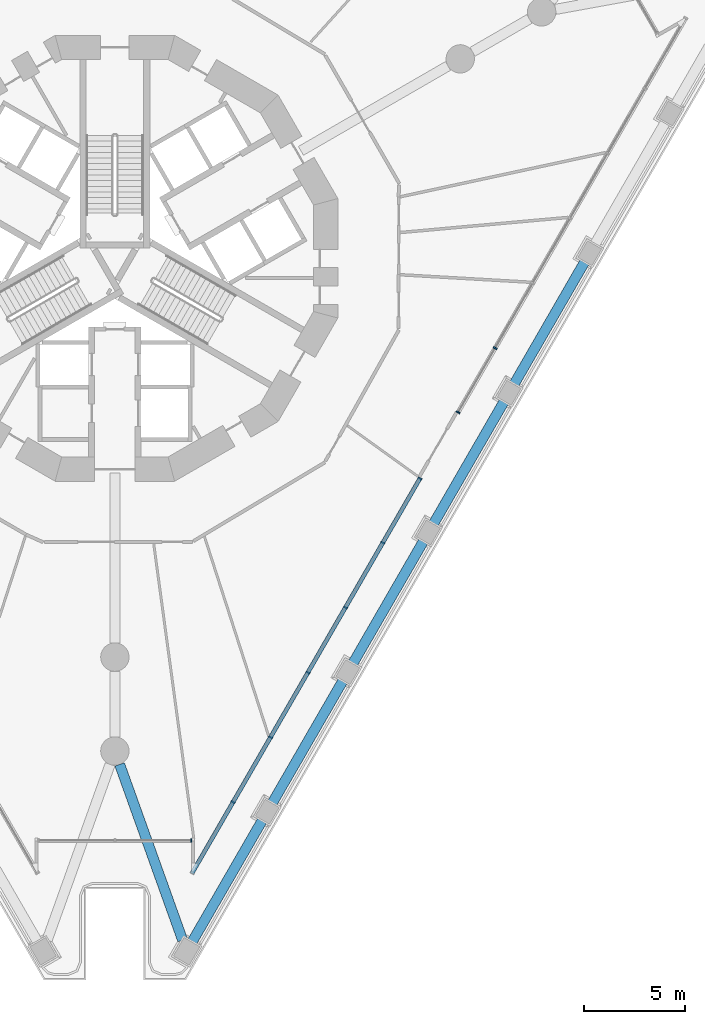
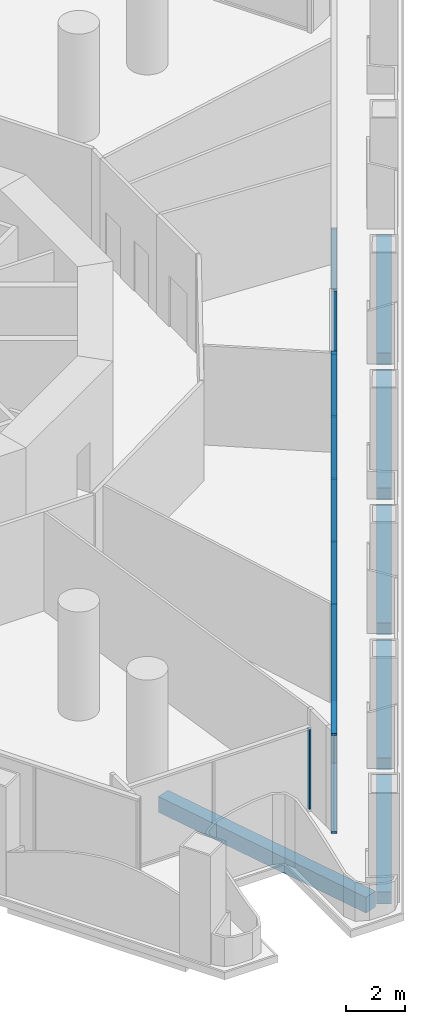
# One storey, part 4 of 22: 11 members, 6 beams, 3 elements without a shape of their own.
"""IFC4 building model written with IfcOpenShell, lengths in metres."""

from ifc_helpers import new_model, si_unit, direction, frame, origin, origin_2d, place, context, subcontext, project, spatial, rectangle, extrude, material, layer, layer_set, material_profile, profile_set, type_object, element, aggregate, save


model = new_model("IFC4")

# Units and contexts
model_context = context("Model", 3, precision=1e-05, world=origin(), true_north=direction((0.0, 1.0)))
body_context = subcontext(model_context, "Body", "Model", "MODEL_VIEW")
ifc_project = project(units=[si_unit("LENGTHUNIT", "METRE"), si_unit("AREAUNIT", "SQUARE_METRE"), si_unit("VOLUMEUNIT", "CUBIC_METRE"), si_unit("PLANEANGLEUNIT", "RADIAN"), si_unit("MASSUNIT", "GRAM", prefix="KILO")], contexts=[model_context])

# Site, building, storey
site_placement = place(None, origin())
site = spatial("IfcSite", under=ifc_project, at=site_placement, CompositionType="ELEMENT")
building_placement = place(site_placement, origin())
building = spatial("IfcBuilding", under=site, at=building_placement, Name="Trine Commons Tower", CompositionType="ELEMENT")
storey_placement = place(building_placement, frame((0.0, 0.0, 22.5)))
storey = spatial("IfcBuildingStorey", under=building, at=storey_placement, Name="L04", CompositionType="ELEMENT", Elevation=22.5)

# Curtain wall, member
ifc_material_1 = material(Name="Corner pocket glazing: anodised aluminium frame with low-emissivity double glazed unit, laminated", Category="aluminium")
ifc_layer_1 = layer(ifc_material_1, 0.179931640625)
ifc_layer_set_1 = layer_set([ifc_layer_1], Name="Corner pocket glazing: anodised aluminium frame with low-emissivity double glazed unit, laminated")
curtain_wall_type_1 = type_object("IfcCurtainWallType", Name="Corner pocket glazing curtain wall CW8", PredefinedType="NOTDEFINED", material=ifc_layer_set_1)
curtain_wall_1_placement = place(storey_placement, origin())
curtain_wall_1 = element("IfcCurtainWall", 1, at=curtain_wall_1_placement, inside=storey, type_object=curtain_wall_type_1, Name="Corner pocket glazing L04 P3.1", PredefinedType="NOTDEFINED")
ifc_material_2 = material(Name="Anodised aluminium, bronze finish", Category="aluminium")
ifc_material_profile_1 = material_profile(ifc_material_2, rectangle(XDim=0.179931640625, YDim=0.06494140625, at=origin_2d()), Name="Mullion 65x180")
ifc_profile_set_1 = profile_set([ifc_material_profile_1], Name="Anodised aluminium, bronze finish")
member_type_1 = type_object("IfcMemberType", Name="Mullion 65x180, Anodised aluminium, bronze finish", PredefinedType="MULLION", material=ifc_profile_set_1)
member_1_placement = place(storey_placement, frame((83.767578125, 33.74072265625, 0.090087890625), z_axis=(0.0, 0.0, 1.0), x_axis=(0.0, -1.0, 0.0)))
member_1 = element("IfcMember", 2, at=member_1_placement, type_object=member_type_1, Name="CW8 mullion 1.1", PredefinedType="MULLION", context=body_context, shape_type="SweptSolid", body=[
    extrude(rectangle(XDim=0.179931640625, YDim=0.06494140625, at=origin_2d()), origin(), (0.0, 0.0, 1.0), 3.2998046875),
])
aggregate(curtain_wall_1, [member_1])

# Curtain wall, members
ifc_material_3 = material(Name="Podium glazing: anodised aluminium frame with low-emissivity double glazed unit", Category="aluminium")
ifc_layer_2 = layer(ifc_material_3, 0.199951171875)
ifc_layer_set_2 = layer_set([ifc_layer_2], Name="Podium glazing: anodised aluminium frame with low-emissivity double glazed unit")
curtain_wall_type_2 = type_object("IfcCurtainWallType", Name="Podium glazing curtain wall CW3", PredefinedType="NOTDEFINED", material=ifc_layer_set_2)
curtain_wall_2_placement = place(storey_placement, origin())
curtain_wall_2 = element("IfcCurtainWall", 3, at=curtain_wall_2_placement, inside=storey, type_object=curtain_wall_type_2, Name="Podium glazing L04 F2.1", PredefinedType="NOTDEFINED")
ifc_material_profile_2 = material_profile(ifc_material_2, rectangle(XDim=0.199951171875, YDim=0.074951171875, at=origin_2d()), Name="Mullion 75x200")
ifc_profile_set_2 = profile_set([ifc_material_profile_2], Name="Anodised aluminium, bronze finish")
member_type_2 = type_object("IfcMemberType", Name="Mullion 75x200, Anodised aluminium, bronze finish", PredefinedType="MULLION", material=ifc_profile_set_2)
member_2_placement = place(storey_placement, frame((98.782470703125, 58.06298828125, 0.10009765625), z_axis=(0.0, 0.0, 1.0), x_axis=(0.866025403784, -0.5, 0.0)))
member_2 = element("IfcMember", 4, at=member_2_placement, type_object=member_type_2, Name="CW3 mullion 6.1", PredefinedType="MULLION", context=body_context, shape_type="SweptSolid", body=[
    extrude(rectangle(XDim=0.199951171875, YDim=0.074951171875, at=origin_2d()), origin(), (0.0, 0.0, 1.0), 3.949951171875),
])
member_3_placement = place(storey_placement, frame((96.95166015625, 54.89208984375, 0.10009765625), z_axis=(0.0, 0.0, 1.0), x_axis=(0.866025403784, -0.5, 0.0)))
member_3 = element("IfcMember", 5, at=member_3_placement, type_object=member_type_2, Name="CW3 mullion 7.1", PredefinedType="MULLION", context=body_context, shape_type="SweptSolid", body=[
    extrude(rectangle(XDim=0.199951171875, YDim=0.074951171875, at=origin_2d()), origin(), (0.0, 0.0, 1.0), 3.949951171875),
])
aggregate(curtain_wall_2, [member_2, member_3])

curtain_wall_3_placement = place(storey_placement, origin())
curtain_wall_3 = element("IfcCurtainWall", 6, at=curtain_wall_3_placement, inside=storey, type_object=curtain_wall_type_2, Name="Podium glazing L04 F2.2", PredefinedType="NOTDEFINED")
member_4_placement = place(storey_placement, frame((95.064697265625, 51.623779296875, 0.10009765625), z_axis=(0.0, 0.0, 1.0), x_axis=(0.866025403784, -0.5, 0.0)))
member_4 = element("IfcMember", 7, at=member_4_placement, type_object=member_type_2, Name="CW3 mullion 1.1", PredefinedType="MULLION", context=body_context, shape_type="SweptSolid", body=[
    extrude(rectangle(XDim=0.199951171875, YDim=0.074951171875, at=origin_2d()), origin(), (0.0, 0.0, 1.0), 3.949951171875),
])
member_5_placement = place(storey_placement, frame((93.234130859375, 48.452880859375, 0.10009765625), z_axis=(0.0, 0.0, 1.0), x_axis=(0.866025403784, -0.5, 0.0)))
member_5 = element("IfcMember", 8, at=member_5_placement, type_object=member_type_2, Name="CW3 mullion 2.1", PredefinedType="MULLION", context=body_context, shape_type="SweptSolid", body=[
    extrude(rectangle(XDim=0.199951171875, YDim=0.074951171875, at=origin_2d()), origin(), (0.0, 0.0, 1.0), 3.949951171875),
])
member_6_placement = place(storey_placement, frame((91.384521484375, 45.24951171875, 0.10009765625), z_axis=(0.0, 0.0, 1.0), x_axis=(0.866025403784, -0.5, 0.0)))
member_6 = element("IfcMember", 9, at=member_6_placement, type_object=member_type_2, Name="CW3 mullion 3.1", PredefinedType="MULLION", context=body_context, shape_type="SweptSolid", body=[
    extrude(rectangle(XDim=0.199951171875, YDim=0.074951171875, at=origin_2d()), origin(), (0.0, 0.0, 1.0), 3.949951171875),
])
member_7_placement = place(storey_placement, frame((89.53515625, 42.046142578125, 0.10009765625), z_axis=(0.0, 0.0, 1.0), x_axis=(0.866025403784, -0.5, 0.0)))
member_7 = element("IfcMember", 10, at=member_7_placement, type_object=member_type_2, Name="CW3 mullion 4.1", PredefinedType="MULLION", context=body_context, shape_type="SweptSolid", body=[
    extrude(rectangle(XDim=0.199951171875, YDim=0.074951171875, at=origin_2d()), origin(), (0.0, 0.0, 1.0), 3.949951171875),
])
member_8_placement = place(storey_placement, frame((87.685791015625, 38.843017578125, 0.10009765625), z_axis=(0.0, 0.0, 1.0), x_axis=(0.866025403784, -0.5, 0.0)))
member_8 = element("IfcMember", 11, at=member_8_placement, type_object=member_type_2, Name="CW3 mullion 5.1", PredefinedType="MULLION", context=body_context, shape_type="SweptSolid", body=[
    extrude(rectangle(XDim=0.199951171875, YDim=0.074951171875, at=origin_2d()), origin(), (0.0, 0.0, 1.0), 3.949951171875),
])
member_9_placement = place(storey_placement, frame((85.836181640625, 35.639404296875, 0.10009765625), z_axis=(0.0, 0.0, 1.0), x_axis=(0.866025403784, -0.5, 0.0)))
member_9 = element("IfcMember", 12, at=member_9_placement, type_object=member_type_2, Name="CW3 mullion 6.1", PredefinedType="MULLION", context=body_context, shape_type="SweptSolid", body=[
    extrude(rectangle(XDim=0.199951171875, YDim=0.074951171875, at=origin_2d()), origin(), (0.0, 0.0, 1.0), 3.949951171875),
])

# Beams
ifc_material_4 = material(Name="Concrete C50/60", Category="concrete")
ifc_material_profile_3 = material_profile(ifc_material_4, rectangle(XDim=0.5, YDim=0.5, at=origin_2d()), Name="RC 500x500")
ifc_profile_set_3 = profile_set([ifc_material_profile_3], Name="Concrete C50/60")
beam_type_1 = type_object("IfcBeamType", Name="RC beam 500x500, C50/60", PredefinedType="BEAM", material=ifc_profile_set_3)
for number, where, z_axis, x_axis, name in (
    (13, (103.21533203125, 62.341064453125, -0.60009765625), (-0.499991645397, -0.866030227263, 0.0), (0.866030227263, -0.499991645397, 0.0), "Beam EB1-17 L04"),
    (14, (99.233642578125, 55.444580078125, -0.60009765625), (-0.499991645397, -0.866030227263, 0.0), (0.866030227263, -0.499991645397, 0.0), "Beam EB1-18 L04"),
    (15, (95.251953125, 48.548095703125, -0.60009765625), (-0.499991645397, -0.866030227263, 0.0), (0.866030227263, -0.499991645397, 0.0), "Beam EB1-19 L04"),
):
    element("IfcBeam", number, at=place(storey_placement, frame(where, z_axis=z_axis, x_axis=x_axis)), inside=storey, type_object=beam_type_1, Name=name, PredefinedType="BEAM", context=body_context, shape_type="SweptSolid", body=[
        extrude(rectangle(XDim=0.5, YDim=0.5, at=origin_2d()), origin(), (0.0, 0.0, 1.0), 7.01318359375),
    ])
beam_1_placement = place(storey_placement, frame((91.2705078125, 41.651611328125, -0.60009765625), z_axis=(-0.500017753321, -0.866015153657, 0.0), x_axis=(0.866015153657, -0.500017753321, 0.0)))
element("IfcBeam", 16, at=beam_1_placement, inside=storey, type_object=beam_type_1, Name="Beam EB1-20 L04", PredefinedType="BEAM", context=body_context, shape_type="SweptSolid", body=[
    extrude(rectangle(XDim=0.5, YDim=0.5, at=origin_2d()), origin(), (0.0, 0.0, 1.0), 7.013427734375),
])
beam_2_placement = place(storey_placement, frame((87.288818359375, 34.755126953125, -0.60009765625), z_axis=(-0.500022902661, -0.866012180523, 0.0), x_axis=(0.866012180523, -0.500022902661, 0.0)))
element("IfcBeam", 17, at=beam_2_placement, inside=storey, type_object=beam_type_1, Name="Beam EB1-21 L04", PredefinedType="BEAM", context=body_context, shape_type="SweptSolid", body=[
    extrude(rectangle(XDim=0.5, YDim=0.5, at=origin_2d()), origin(), (0.0, 0.0, 1.0), 6.963623046875),
])
ifc_material_profile_4 = material_profile(ifc_material_4, rectangle(XDim=0.5, YDim=0.64990234375, at=origin_2d()), Name="RC 500x650")
ifc_profile_set_4 = profile_set([ifc_material_profile_4], Name="Concrete C50/60")
beam_type_2 = type_object("IfcBeamType", Name="RC beam 500x650, C50/60", PredefinedType="BEAM", material=ifc_profile_set_4)
beam_3_placement = place(storey_placement, frame((83.345458984375, 28.8251953125, -0.675048828125), z_axis=(-0.337305880684, 0.941395104542, 0.0), x_axis=(-0.941395104542, -0.337305880684, 0.0)))
element("IfcBeam", 18, at=beam_3_placement, inside=storey, type_object=beam_type_2, Name="Beam CB1-05 L04", PredefinedType="BEAM", context=body_context, shape_type="SweptSolid", body=[
    extrude(rectangle(XDim=0.5, YDim=0.64990234375, at=origin_2d()), origin(), (0.0, 0.0, 1.0), 9.218994140625),
])

# Member
ifc_material_profile_5 = material_profile(ifc_material_2, rectangle(XDim=0.199951171875, YDim=0.10009765625, at=origin_2d()), Name="Transom 100x200")
ifc_profile_set_5 = profile_set([ifc_material_profile_5], Name="Anodised aluminium, bronze finish")
member_type_3 = type_object("IfcMemberType", Name="Transom 100x200, Anodised aluminium, bronze finish", PredefinedType="USERDEFINED", material=ifc_profile_set_5)
member_10_placement = place(storey_placement, frame((95.08349609375, 51.65625, 0.050048828125), z_axis=(-0.499996215711, -0.866027588634, 0.0), x_axis=(0.866027588634, -0.499996215711, 0.0)))
member_10 = element("IfcMember", 19, at=member_10_placement, type_object=member_type_3, Name="CW3 transom T00", ObjectType="TRANSOM", PredefinedType="USERDEFINED", context=body_context, shape_type="SweptSolid", body=[
    extrude(rectangle(XDim=0.199951171875, YDim=0.10009765625, at=origin_2d()), origin(), (0.0, 0.0, 1.0), 22.567138671875),
])

member_11_placement = place(storey_placement, frame((95.08349609375, 51.65625, 4.10009765625), z_axis=(-0.499996215711, -0.866027588634, 0.0), x_axis=(0.866027588634, -0.499996215711, 0.0)))
member_11 = element("IfcMember", 20, at=member_11_placement, type_object=member_type_3, Name="CW3 transom TH00", ObjectType="TRANSOM", PredefinedType="USERDEFINED", context=body_context, shape_type="SweptSolid", body=[
    extrude(rectangle(XDim=0.199951171875, YDim=0.10009765625, at=origin_2d()), origin(), (0.0, 0.0, 1.0), 22.567138671875),
])

aggregate(curtain_wall_3, [member_10, member_11, member_4, member_5, member_6, member_7, member_8, member_9])

save(model, "model.ifc")
